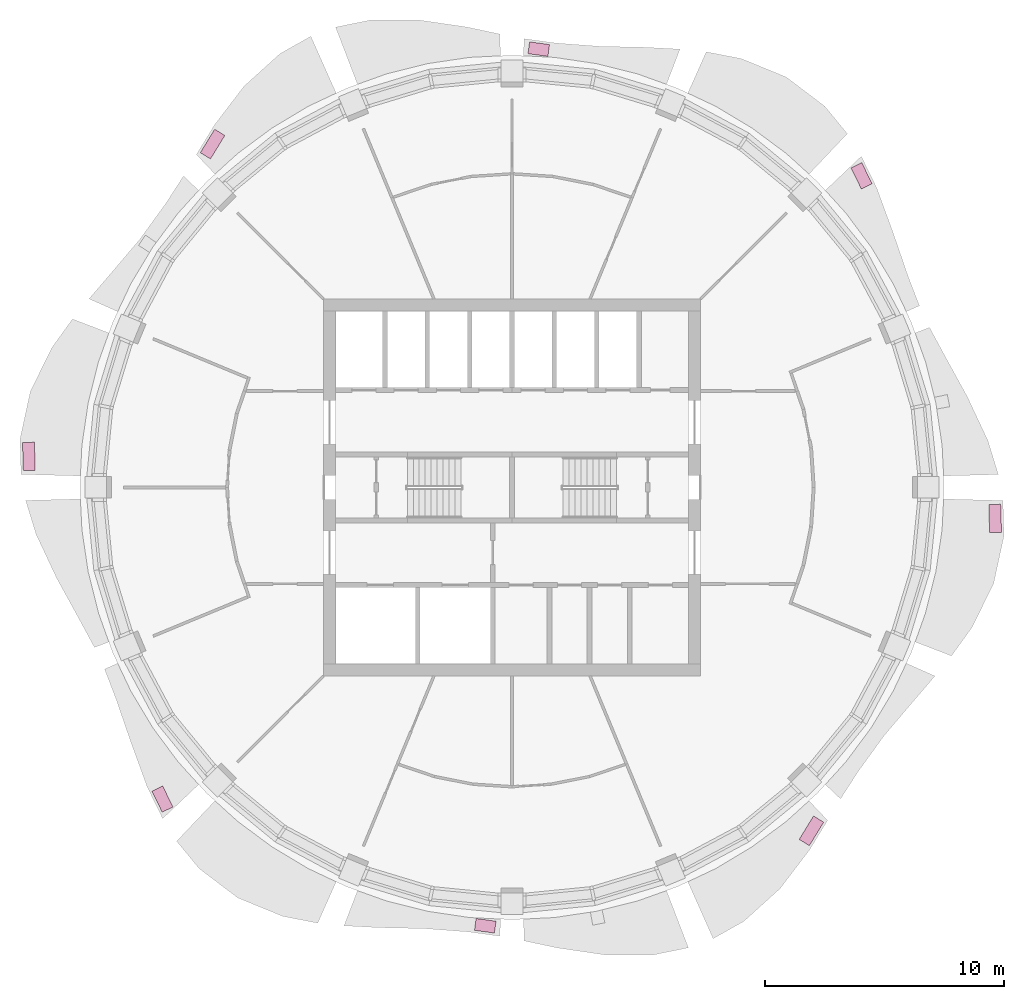
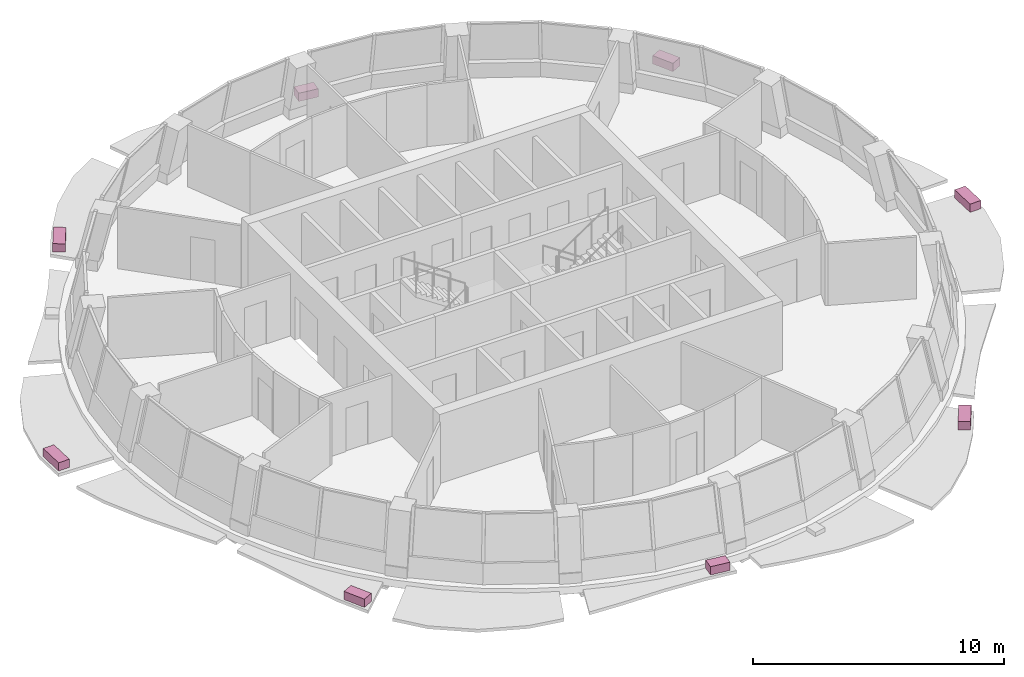
# One storey, part 11 of 11: 8 furniture elements.
"""IFC4 building model written with IfcOpenShell, lengths in metres."""

from ifc_helpers import new_model, si_unit, direction, frame, origin, origin_2d, place, context, subcontext, project, spatial, rectangle, extrude, material, type_object, element, save


model = new_model("IFC4")

# Units and contexts
model_context = context("Model", 3, precision=1e-05, world=origin(), true_north=direction((0.0, 1.0)))
body_context = subcontext(model_context, "Body", "Model", "MODEL_VIEW")
ifc_project = project(units=[si_unit("LENGTHUNIT", "METRE"), si_unit("AREAUNIT", "SQUARE_METRE"), si_unit("VOLUMEUNIT", "CUBIC_METRE"), si_unit("PLANEANGLEUNIT", "RADIAN"), si_unit("MASSUNIT", "GRAM", prefix="KILO")], contexts=[model_context])

# Site, building, storey
site_placement = place(None, origin())
site = spatial("IfcSite", under=ifc_project, at=site_placement, CompositionType="ELEMENT")
building_placement = place(site_placement, origin())
building = spatial("IfcBuilding", under=site, at=building_placement, Name="Polderwave Tower", CompositionType="ELEMENT")
storey_placement = place(building_placement, frame((0.0, 0.0, 194.35009765625)))
storey = spatial("IfcBuildingStorey", under=building, at=storey_placement, Name="L52", CompositionType="ELEMENT", Elevation=194.35009765625)

# Furniture
ifc_material = material(Name="Terracotta", Category="masonry")
furniture_type = type_object("IfcFurnitureType", Name="Terracotta planting trough", AssemblyPlace="NOTDEFINED", PredefinedType="USERDEFINED", material=ifc_material)
furniture_1_placement = place(storey_placement, frame((14.599609375, 13.015380859375, -0.199951171875), z_axis=(0.0, 0.0, 1.0), x_axis=(-0.438730342129, 0.89861876616, 0.0)))
element("IfcFurniture", 1, at=furniture_1_placement, inside=storey, type_object=furniture_type, Name="Planting trough L52 2", ObjectType="PLANTER", PredefinedType="USERDEFINED", context=body_context, shape_type="SweptSolid", body=[
    extrude(rectangle(XDim=0.9765625, YDim=0.5, at=origin_2d()), origin(), (0.0, 0.0, 1.0), 0.39990234375),
])
furniture_2_placement = place(storey_placement, frame((1.116455078125, 18.306640625, -0.199951171875), z_axis=(0.0, 0.0, 1.0), x_axis=(-0.99070301845, 0.136042380289, 0.0)))
element("IfcFurniture", 2, at=furniture_2_placement, inside=storey, type_object=furniture_type, Name="Planting trough L52 4", ObjectType="PLANTER", PredefinedType="USERDEFINED", context=body_context, shape_type="SweptSolid", body=[
    extrude(rectangle(XDim=0.8408203125, YDim=0.5, at=origin_2d()), origin(), (0.0, 0.0, 1.0), 0.39990234375),
])
furniture_3_placement = place(storey_placement, frame((-12.505859375, 14.340576171875, -0.199951171875), z_axis=(0.0, 0.0, 1.0), x_axis=(-0.521950822264, -0.85297557945, 0.0)))
element("IfcFurniture", 3, at=furniture_3_placement, inside=storey, type_object=furniture_type, Name="Planting trough L52 6", ObjectType="PLANTER", PredefinedType="USERDEFINED", context=body_context, shape_type="SweptSolid", body=[
    extrude(rectangle(XDim=1.1494140625, YDim=0.5, at=origin_2d()), origin(), (0.0, 0.0, 1.0), 0.39990234375),
])
furniture_4_placement = place(storey_placement, frame((-20.177978515625, 1.295166015625, -0.199951171875), z_axis=(0.0, 0.0, 1.0), x_axis=(0.028111804934, -0.999604785114, 0.0)))
element("IfcFurniture", 4, at=furniture_4_placement, inside=storey, type_object=furniture_type, Name="Planting trough L52 8", ObjectType="PLANTER", PredefinedType="USERDEFINED", context=body_context, shape_type="SweptSolid", body=[
    extrude(rectangle(XDim=1.177734375, YDim=0.5, at=origin_2d()), origin(), (0.0, 0.0, 1.0), 0.39990234375),
])
furniture_5_placement = place(storey_placement, frame((-14.599609375, -13.015380859375, -0.199951171875), z_axis=(0.0, 0.0, 1.0), x_axis=(0.438730342129, -0.89861876616, 0.0)))
element("IfcFurniture", 5, at=furniture_5_placement, inside=storey, type_object=furniture_type, Name="Planting trough L52 10", ObjectType="PLANTER", PredefinedType="USERDEFINED", context=body_context, shape_type="SweptSolid", body=[
    extrude(rectangle(XDim=0.9765625, YDim=0.5, at=origin_2d()), origin(), (0.0, 0.0, 1.0), 0.39990234375),
])
furniture_6_placement = place(storey_placement, frame((-1.116455078125, -18.306640625, -0.199951171875), z_axis=(0.0, 0.0, 1.0), x_axis=(0.99070301845, -0.136042380289, 0.0)))
element("IfcFurniture", 6, at=furniture_6_placement, inside=storey, type_object=furniture_type, Name="Planting trough L52 12", ObjectType="PLANTER", PredefinedType="USERDEFINED", context=body_context, shape_type="SweptSolid", body=[
    extrude(rectangle(XDim=0.8408203125, YDim=0.5, at=origin_2d()), origin(), (0.0, 0.0, 1.0), 0.39990234375),
])
furniture_7_placement = place(storey_placement, frame((12.505859375, -14.340576171875, -0.199951171875), z_axis=(0.0, 0.0, 1.0), x_axis=(0.521950822264, 0.85297557945, 0.0)))
element("IfcFurniture", 7, at=furniture_7_placement, inside=storey, type_object=furniture_type, Name="Planting trough L52 14", ObjectType="PLANTER", PredefinedType="USERDEFINED", context=body_context, shape_type="SweptSolid", body=[
    extrude(rectangle(XDim=1.1494140625, YDim=0.5, at=origin_2d()), origin(), (0.0, 0.0, 1.0), 0.39990234375),
])
furniture_8_placement = place(storey_placement, frame((20.177978515625, -1.295166015625, -0.199951171875), z_axis=(0.0, 0.0, 1.0), x_axis=(-0.028111804934, 0.999604785114, 0.0)))
element("IfcFurniture", 8, at=furniture_8_placement, inside=storey, type_object=furniture_type, Name="Planting trough L52 16", ObjectType="PLANTER", PredefinedType="USERDEFINED", context=body_context, shape_type="SweptSolid", body=[
    extrude(rectangle(XDim=1.177734375, YDim=0.5, at=origin_2d()), origin(), (0.0, 0.0, 1.0), 0.39990234375),
])

save(model, "model.ifc")
